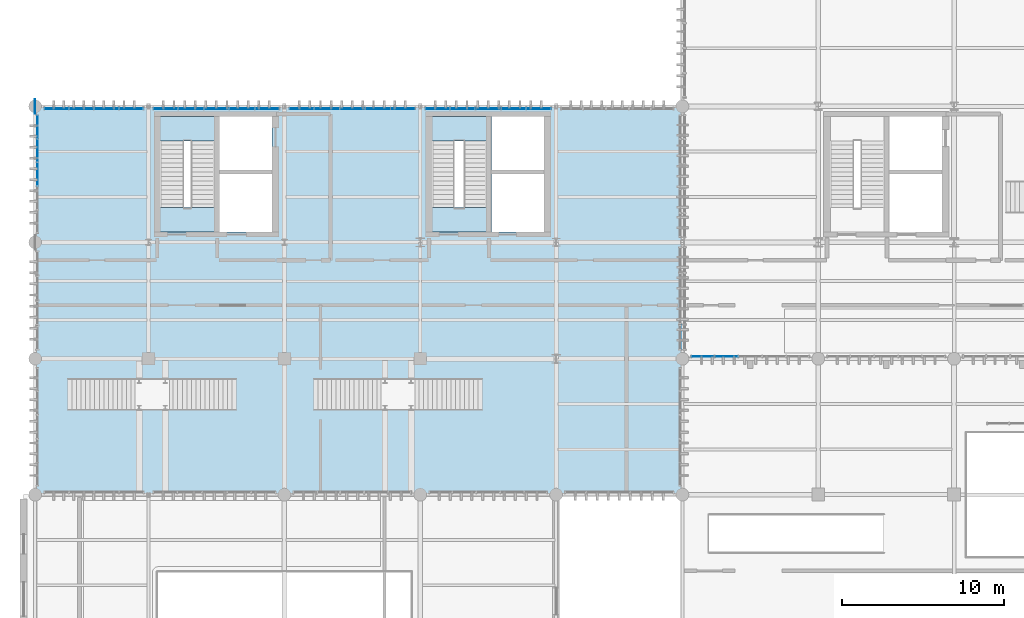
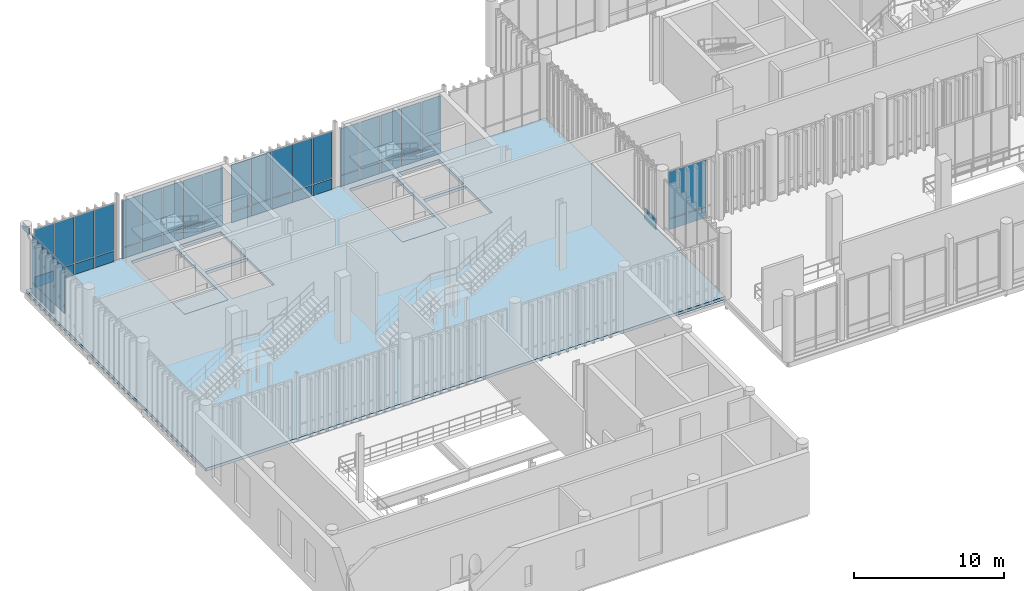
# One storey, part 95 of 128: 49 plates, 5 slabs, 9 elements without a shape of their own.
"""IFC4 building model written with IfcOpenShell, lengths in metres."""

from ifc_helpers import new_model, si_unit, direction, frame, frame_2d, origin_with_axes, origin_2d_with_axis, place, context, subcontext, project, spatial, polyline, rectangle, outline, extrude, material, layer, layer_set, type_object, element, aggregate, save


model = new_model("IFC4")

# Units and contexts
model_context = context("Model", 3, precision=1e-05, world=origin_with_axes(), true_north=direction((0.0, 1.0)))
body_context = subcontext(model_context, "Body", "Model", "MODEL_VIEW")
ifc_project = project(units=[si_unit("LENGTHUNIT", "METRE"), si_unit("AREAUNIT", "SQUARE_METRE"), si_unit("VOLUMEUNIT", "CUBIC_METRE"), si_unit("PLANEANGLEUNIT", "RADIAN"), si_unit("MASSUNIT", "GRAM", prefix="KILO"), si_unit("THERMODYNAMICTEMPERATUREUNIT", "KELVIN")], contexts=[model_context])

# Site, building, storey
site_placement = place(None, origin_with_axes())
site = spatial("IfcSite", under=ifc_project, at=site_placement, CompositionType="ELEMENT")
building_placement = place(site_placement, origin_with_axes())
building = spatial("IfcBuilding", under=site, at=building_placement, Name="Montbau Bow Law Courts", CompositionType="ELEMENT")
storey_placement = place(building_placement, frame((0.0, 0.0, 5.4), z_axis=(0.0, 0.0, 1.0), x_axis=(1.0, 0.0, 0.0)))
storey = spatial("IfcBuildingStorey", under=building, at=storey_placement, Name="L01", CompositionType="ELEMENT", Elevation=5.4)

# Curtain wall, plates
ifc_material_1 = material(Name="Thermally Broken Extruded Aluminium AA 6063-T6", Category="aluminium")
curtain_wall_type_1 = type_object("IfcCurtainWallType", Name="CW-TRC-01", PredefinedType="NOTDEFINED", material=ifc_material_1)
curtain_wall_1_placement = place(None, frame((7.315, 54.46, 5.4), z_axis=(0.0, 0.0, 1.0), x_axis=(1.0, 0.0, 0.0)))
curtain_wall_1 = element("IfcCurtainWall", 1, at=curtain_wall_1_placement, inside=storey, type_object=curtain_wall_type_1, Name="CW-L01-021:cw_0021", PredefinedType="NOTDEFINED")
ifc_material_2 = material(Name="Triple-Glazed Low-E Argon Insulating Glass Unit", Category="glass")
ifc_layer_1 = layer(ifc_material_2, 0.044, Name="Curtain Panel", Category="glass")
ifc_layer_set_1 = layer_set([ifc_layer_1], Name="Triple-Glazed Low-E Argon Insulating Glass Unit")
plate_type_1 = type_object("IfcPlateType", Name="PL-CWP-01", PredefinedType="CURTAIN_PANEL", material=ifc_layer_set_1)
plate_1_placement = place(None, frame((7.391, 54.46, 6.379), z_axis=(0.0, -1.0, 0.0), x_axis=(1.0, 0.0, 0.0)))
plate_1 = element("IfcPlate", 2, at=plate_1_placement, type_object=plate_type_1, Name="CW-L01-021-P01-2:cw_0021_P01_2", PredefinedType="CURTAIN_PANEL", context=body_context, shape_type="SweptSolid", body=[
    extrude(rectangle(XDim=1.438, YDim=3.784, at=frame_2d((0.719, 1.892), x_axis=(1.0, 0.0))), frame((0.0, 0.0, -0.022), z_axis=(0.0, 0.0, 1.0), x_axis=(1.0, 0.0, 0.0)), (0.0, 0.0, 1.0), 0.044),
])
plate_2_placement = place(None, frame((8.909, 54.46, 6.379), z_axis=(0.0, -1.0, 0.0), x_axis=(1.0, 0.0, 0.0)))
plate_2 = element("IfcPlate", 3, at=plate_2_placement, type_object=plate_type_1, Name="CW-L01-021-P02-2:cw_0021_P02_2", PredefinedType="CURTAIN_PANEL", context=body_context, shape_type="SweptSolid", body=[
    extrude(rectangle(XDim=1.476, YDim=3.784, at=frame_2d((0.738, 1.892), x_axis=(1.0, 0.0))), frame((0.0, 0.0, -0.022), z_axis=(0.0, 0.0, 1.0), x_axis=(1.0, 0.0, 0.0)), (0.0, 0.0, 1.0), 0.044),
])
plate_3_placement = place(None, frame((10.463, 54.46, 6.379), z_axis=(0.0, -1.0, 0.0), x_axis=(1.0, 0.0, 0.0)))
plate_3 = element("IfcPlate", 4, at=plate_3_placement, type_object=plate_type_1, Name="CW-L01-021-P03-2:cw_0021_P03_2", PredefinedType="CURTAIN_PANEL", context=body_context, shape_type="SweptSolid", body=[
    extrude(rectangle(XDim=1.476, YDim=3.784, at=frame_2d((0.738, 1.892), x_axis=(1.0, 0.0))), frame((0.0, 0.0, -0.022), z_axis=(0.0, 0.0, 1.0), x_axis=(1.0, 0.0, 0.0)), (0.0, 0.0, 1.0), 0.044),
])
plate_4_placement = place(None, frame((12.017, 54.46, 6.379), z_axis=(0.0, -1.0, 0.0), x_axis=(1.0, 0.0, 0.0)))
plate_4 = element("IfcPlate", 5, at=plate_4_placement, type_object=plate_type_1, Name="CW-L01-021-P04-2:cw_0021_P04_2", PredefinedType="CURTAIN_PANEL", context=body_context, shape_type="SweptSolid", body=[
    extrude(rectangle(XDim=1.439, YDim=3.784, at=frame_2d((0.7195, 1.892), x_axis=(1.0, 0.0))), frame((0.0, 0.0, -0.022), z_axis=(0.0, 0.0, 1.0), x_axis=(1.0, 0.0, 0.0)), (0.0, 0.0, 1.0), 0.044),
])

curtain_wall_2_placement = place(None, frame((14.068, 54.46, 5.4), z_axis=(0.0, 0.0, 1.0), x_axis=(1.0, 0.0, 0.0)))
curtain_wall_2 = element("IfcCurtainWall", 6, at=curtain_wall_2_placement, inside=storey, type_object=curtain_wall_type_1, Name="CW-L01-022:cw_0022", PredefinedType="NOTDEFINED")
plate_5_placement = place(None, frame((14.136, 54.46, 6.382), z_axis=(0.0, -1.0, 0.0), x_axis=(1.0, 0.0, 0.0)))
plate_5 = element("IfcPlate", 7, at=plate_5_placement, type_object=plate_type_1, Name="CW-L01-022-P01-2:cw_0022_P01_2", PredefinedType="CURTAIN_PANEL", context=body_context, shape_type="SweptSolid", body=[
    extrude(rectangle(XDim=1.47, YDim=3.776, at=frame_2d((0.735, 1.888), x_axis=(1.0, 0.0))), frame((0.0, 0.0, -0.022), z_axis=(0.0, 0.0, 1.0), x_axis=(1.0, 0.0, 0.0)), (0.0, 0.0, 1.0), 0.044),
])
plate_6_placement = place(None, frame((15.675, 54.46, 6.382), z_axis=(0.0, -1.0, 0.0), x_axis=(1.0, 0.0, 0.0)))
plate_6 = element("IfcPlate", 8, at=plate_6_placement, type_object=plate_type_1, Name="CW-L01-022-P02-2:cw_0022_P02_2", PredefinedType="CURTAIN_PANEL", context=body_context, shape_type="SweptSolid", body=[
    extrude(rectangle(XDim=1.504, YDim=3.776, at=frame_2d((0.752, 1.888), x_axis=(1.0, 0.0))), frame((0.0, 0.0, -0.022), z_axis=(0.0, 0.0, 1.0), x_axis=(1.0, 0.0, 0.0)), (0.0, 0.0, 1.0), 0.044),
])
plate_7_placement = place(None, frame((17.248, 54.46, 6.382), z_axis=(0.0, -1.0, 0.0), x_axis=(1.0, 0.0, 0.0)))
plate_7 = element("IfcPlate", 9, at=plate_7_placement, type_object=plate_type_1, Name="CW-L01-022-P03-2:cw_0022_P03_2", PredefinedType="CURTAIN_PANEL", context=body_context, shape_type="SweptSolid", body=[
    extrude(rectangle(XDim=1.505, YDim=3.776, at=frame_2d((0.7525, 1.888), x_axis=(1.0, 0.0))), frame((0.0, 0.0, -0.022), z_axis=(0.0, 0.0, 1.0), x_axis=(1.0, 0.0, 0.0)), (0.0, 0.0, 1.0), 0.044),
])
plate_8_placement = place(None, frame((18.821, 54.46, 6.382), z_axis=(0.0, -1.0, 0.0), x_axis=(1.0, 0.0, 0.0)))
plate_8 = element("IfcPlate", 10, at=plate_8_placement, type_object=plate_type_1, Name="CW-L01-022-P04-2:cw_0022_P04_2", PredefinedType="CURTAIN_PANEL", context=body_context, shape_type="SweptSolid", body=[
    extrude(rectangle(XDim=1.505, YDim=3.776, at=frame_2d((0.7525, 1.888), x_axis=(1.0, 0.0))), frame((0.0, 0.0, -0.022), z_axis=(0.0, 0.0, 1.0), x_axis=(1.0, 0.0, 0.0)), (0.0, 0.0, 1.0), 0.044),
])
plate_9_placement = place(None, frame((20.394, 54.46, 6.382), z_axis=(0.0, -1.0, 0.0), x_axis=(1.0, 0.0, 0.0)))
plate_9 = element("IfcPlate", 11, at=plate_9_placement, type_object=plate_type_1, Name="CW-L01-022-P05-2:cw_0022_P05_2", PredefinedType="CURTAIN_PANEL", context=body_context, shape_type="SweptSolid", body=[
    extrude(rectangle(XDim=1.473, YDim=3.776, at=frame_2d((0.7365, 1.888), x_axis=(1.0, 0.0))), frame((0.0, 0.0, -0.022), z_axis=(0.0, 0.0, 1.0), x_axis=(1.0, 0.0, 0.0)), (0.0, 0.0, 1.0), 0.044),
])

curtain_wall_3_placement = place(None, frame((22.467, 54.46, 5.4), z_axis=(0.0, 0.0, 1.0), x_axis=(1.0, 0.0, 0.0)))
curtain_wall_3 = element("IfcCurtainWall", 12, at=curtain_wall_3_placement, inside=storey, type_object=curtain_wall_type_1, Name="CW-L01-023:cw_0023", PredefinedType="NOTDEFINED")
plate_10_placement = place(None, frame((22.529, 54.46, 6.379), z_axis=(0.0, -1.0, 0.0), x_axis=(1.0, 0.0, 0.0)))
plate_10 = element("IfcPlate", 13, at=plate_10_placement, type_object=plate_type_1, Name="CW-L01-023-P01-2:cw_0023_P01_2", PredefinedType="CURTAIN_PANEL", context=body_context, shape_type="SweptSolid", body=[
    extrude(rectangle(XDim=1.479, YDim=3.784, at=frame_2d((0.7395, 1.892), x_axis=(1.0, 0.0))), frame((0.0, 0.0, -0.022), z_axis=(0.0, 0.0, 1.0), x_axis=(1.0, 0.0, 0.0)), (0.0, 0.0, 1.0), 0.044),
])
plate_11_placement = place(None, frame((24.072, 54.46, 6.379), z_axis=(0.0, -1.0, 0.0), x_axis=(1.0, 0.0, 0.0)))
plate_11 = element("IfcPlate", 14, at=plate_11_placement, type_object=plate_type_1, Name="CW-L01-023-P02-2:cw_0023_P02_2", PredefinedType="CURTAIN_PANEL", context=body_context, shape_type="SweptSolid", body=[
    extrude(rectangle(XDim=1.509, YDim=3.784, at=frame_2d((0.7545, 1.892), x_axis=(1.0, 0.0))), frame((0.0, 0.0, -0.022), z_axis=(0.0, 0.0, 1.0), x_axis=(1.0, 0.0, 0.0)), (0.0, 0.0, 1.0), 0.044),
])
plate_12_placement = place(None, frame((25.645, 54.46, 6.379), z_axis=(0.0, -1.0, 0.0), x_axis=(1.0, 0.0, 0.0)))
plate_12 = element("IfcPlate", 15, at=plate_12_placement, type_object=plate_type_1, Name="CW-L01-023-P03-2:cw_0023_P03_2", PredefinedType="CURTAIN_PANEL", context=body_context, shape_type="SweptSolid", body=[
    extrude(rectangle(XDim=1.51, YDim=3.784, at=frame_2d((0.755, 1.892), x_axis=(1.0, 0.0))), frame((0.0, 0.0, -0.022), z_axis=(0.0, 0.0, 1.0), x_axis=(1.0, 0.0, 0.0)), (0.0, 0.0, 1.0), 0.044),
])
plate_13_placement = place(None, frame((27.219, 54.46, 6.379), z_axis=(0.0, -1.0, 0.0), x_axis=(1.0, 0.0, 0.0)))
plate_13 = element("IfcPlate", 16, at=plate_13_placement, type_object=plate_type_1, Name="CW-L01-023-P04-2:cw_0023_P04_2", PredefinedType="CURTAIN_PANEL", context=body_context, shape_type="SweptSolid", body=[
    extrude(rectangle(XDim=1.509, YDim=3.784, at=frame_2d((0.7545, 1.892), x_axis=(1.0, 0.0))), frame((0.0, 0.0, -0.022), z_axis=(0.0, 0.0, 1.0), x_axis=(1.0, 0.0, 0.0)), (0.0, 0.0, 1.0), 0.044),
])
plate_14_placement = place(None, frame((28.792, 54.46, 6.379), z_axis=(0.0, -1.0, 0.0), x_axis=(1.0, 0.0, 0.0)))
plate_14 = element("IfcPlate", 17, at=plate_14_placement, type_object=plate_type_1, Name="CW-L01-023-P05-2:cw_0023_P05_2", PredefinedType="CURTAIN_PANEL", context=body_context, shape_type="SweptSolid", body=[
    extrude(rectangle(XDim=1.479, YDim=3.784, at=frame_2d((0.7395, 1.892), x_axis=(1.0, 0.0))), frame((0.0, 0.0, -0.022), z_axis=(0.0, 0.0, 1.0), x_axis=(1.0, 0.0, 0.0)), (0.0, 0.0, 1.0), 0.044),
])

curtain_wall_4_placement = place(None, frame((30.867, 54.46, 5.4), z_axis=(0.0, 0.0, 1.0), x_axis=(1.0, 0.0, 0.0)))
curtain_wall_4 = element("IfcCurtainWall", 18, at=curtain_wall_4_placement, inside=storey, type_object=curtain_wall_type_1, Name="CW-L01-024:cw_0024", PredefinedType="NOTDEFINED")
plate_15_placement = place(None, frame((30.943, 54.46, 6.382), z_axis=(0.0, -1.0, 0.0), x_axis=(1.0, 0.0, 0.0)))
plate_15 = element("IfcPlate", 19, at=plate_15_placement, type_object=plate_type_1, Name="CW-L01-024-P01-2:cw_0024_P01_2", PredefinedType="CURTAIN_PANEL", context=body_context, shape_type="SweptSolid", body=[
    extrude(rectangle(XDim=1.457, YDim=3.776, at=frame_2d((0.7285, 1.888), x_axis=(1.0, 0.0))), frame((0.0, 0.0, -0.022), z_axis=(0.0, 0.0, 1.0), x_axis=(1.0, 0.0, 0.0)), (0.0, 0.0, 1.0), 0.044),
])
plate_16_placement = place(None, frame((32.48, 54.46, 6.382), z_axis=(0.0, -1.0, 0.0), x_axis=(1.0, 0.0, 0.0)))
plate_16 = element("IfcPlate", 20, at=plate_16_placement, type_object=plate_type_1, Name="CW-L01-024-P02-2:cw_0024_P02_2", PredefinedType="CURTAIN_PANEL", context=body_context, shape_type="SweptSolid", body=[
    extrude(rectangle(XDim=1.494, YDim=3.776, at=frame_2d((0.747, 1.888), x_axis=(1.0, 0.0))), frame((0.0, 0.0, -0.022), z_axis=(0.0, 0.0, 1.0), x_axis=(1.0, 0.0, 0.0)), (0.0, 0.0, 1.0), 0.044),
])
plate_17_placement = place(None, frame((34.052, 54.46, 6.382), z_axis=(0.0, -1.0, 0.0), x_axis=(1.0, 0.0, 0.0)))
plate_17 = element("IfcPlate", 21, at=plate_17_placement, type_object=plate_type_1, Name="CW-L01-024-P03-2:cw_0024_P03_2", PredefinedType="CURTAIN_PANEL", context=body_context, shape_type="SweptSolid", body=[
    extrude(rectangle(XDim=1.495, YDim=3.776, at=frame_2d((0.7475, 1.888), x_axis=(1.0, 0.0))), frame((0.0, 0.0, -0.022), z_axis=(0.0, 0.0, 1.0), x_axis=(1.0, 0.0, 0.0)), (0.0, 0.0, 1.0), 0.044),
])
plate_18_placement = place(None, frame((35.625, 54.46, 6.382), z_axis=(0.0, -1.0, 0.0), x_axis=(1.0, 0.0, 0.0)))
plate_18 = element("IfcPlate", 22, at=plate_18_placement, type_object=plate_type_1, Name="CW-L01-024-P04-2:cw_0024_P04_2", PredefinedType="CURTAIN_PANEL", context=body_context, shape_type="SweptSolid", body=[
    extrude(rectangle(XDim=1.495, YDim=3.776, at=frame_2d((0.7475, 1.888), x_axis=(1.0, 0.0))), frame((0.0, 0.0, -0.022), z_axis=(0.0, 0.0, 1.0), x_axis=(1.0, 0.0, 0.0)), (0.0, 0.0, 1.0), 0.044),
])
plate_19_placement = place(None, frame((37.198, 54.46, 6.382), z_axis=(0.0, -1.0, 0.0), x_axis=(1.0, 0.0, 0.0)))
plate_19 = element("IfcPlate", 23, at=plate_19_placement, type_object=plate_type_1, Name="CW-L01-024-P05-2:cw_0024_P05_2", PredefinedType="CURTAIN_PANEL", context=body_context, shape_type="SweptSolid", body=[
    extrude(rectangle(XDim=1.457, YDim=3.776, at=frame_2d((0.7285, 1.888), x_axis=(1.0, 0.0))), frame((0.0, 0.0, -0.022), z_axis=(0.0, 0.0, 1.0), x_axis=(1.0, 0.0, 0.0)), (0.0, 0.0, 1.0), 0.044),
])

curtain_wall_5_placement = place(None, frame((6.94, 46.715, 5.4), z_axis=(0.0, 0.0, 1.0), x_axis=(1.0, 0.0, 0.0)))
curtain_wall_5 = element("IfcCurtainWall", 24, at=curtain_wall_5_placement, inside=storey, type_object=curtain_wall_type_1, Name="CW-L01-028:cw_0028", PredefinedType="NOTDEFINED")
plate_20_placement = place(None, frame((6.94, 49.697, 6.382), z_axis=(1.0, 0.0, 0.0), x_axis=(0.0, 1.0, 0.0)))
plate_20 = element("IfcPlate", 25, at=plate_20_placement, type_object=plate_type_1, Name="CW-L01-028-P03-2:cw_0028_P03_2", PredefinedType="CURTAIN_PANEL", context=body_context, shape_type="SweptSolid", body=[
    extrude(rectangle(XDim=1.406, YDim=3.776, at=frame_2d((0.703, 1.888), x_axis=(1.0, 0.0))), frame((0.0, 0.0, -0.022), z_axis=(0.0, 0.0, 1.0), x_axis=(1.0, 0.0, 0.0)), (0.0, 0.0, 1.0), 0.044),
])
plate_21_placement = place(None, frame((6.94, 51.171, 6.382), z_axis=(1.0, 0.0, 0.0), x_axis=(0.0, 1.0, 0.0)))
plate_21 = element("IfcPlate", 26, at=plate_21_placement, type_object=plate_type_1, Name="CW-L01-028-P04-2:cw_0028_P04_2", PredefinedType="CURTAIN_PANEL", context=body_context, shape_type="SweptSolid", body=[
    extrude(rectangle(XDim=1.406, YDim=3.776, at=frame_2d((0.703, 1.888), x_axis=(1.0, 0.0))), frame((0.0, 0.0, -0.022), z_axis=(0.0, 0.0, 1.0), x_axis=(1.0, 0.0, 0.0)), (0.0, 0.0, 1.0), 0.044),
])
plate_22_placement = place(None, frame((6.94, 52.645, 6.382), z_axis=(1.0, 0.0, 0.0), x_axis=(0.0, 1.0, 0.0)))
plate_22 = element("IfcPlate", 27, at=plate_22_placement, type_object=plate_type_1, Name="CW-L01-028-P05-2:cw_0028_P05_2", PredefinedType="CURTAIN_PANEL", context=body_context, shape_type="SweptSolid", body=[
    extrude(rectangle(XDim=1.373, YDim=3.776, at=frame_2d((0.6865, 1.888), x_axis=(1.0, 0.0))), frame((0.0, 0.0, -0.022), z_axis=(0.0, 0.0, 1.0), x_axis=(1.0, 0.0, 0.0)), (0.0, 0.0, 1.0), 0.044),
])

curtain_wall_type_2 = type_object("IfcCurtainWallType", Name="CW-CRM-01", PredefinedType="NOTDEFINED", material=ifc_material_1)
curtain_wall_6_placement = place(None, frame((47.315, 39.14, 5.4), z_axis=(0.0, 0.0, 1.0), x_axis=(1.0, 0.0, 0.0)))
curtain_wall_6 = element("IfcCurtainWall", 28, at=curtain_wall_6_placement, inside=storey, type_object=curtain_wall_type_2, Name="CW-L01-139:cw_0139", PredefinedType="NOTDEFINED")
plate_23_placement = place(None, frame((47.383, 39.14, 6.379), z_axis=(0.0, -1.0, 0.0), x_axis=(1.0, 0.0, 0.0)))
plate_23 = element("IfcPlate", 29, at=plate_23_placement, type_object=plate_type_1, Name="CW-L01-139-P01-2:cw_0139_P01_2", PredefinedType="CURTAIN_PANEL", context=body_context, shape_type="SweptSolid", body=[
    extrude(rectangle(XDim=1.372, YDim=3.784, at=frame_2d((0.686, 1.892), x_axis=(1.0, 0.0))), frame((0.0, 0.0, -0.022), z_axis=(0.0, 0.0, 1.0), x_axis=(1.0, 0.0, 0.0)), (0.0, 0.0, 1.0), 0.044),
])
plate_24_placement = place(None, frame((48.823, 39.14, 6.379), z_axis=(0.0, -1.0, 0.0), x_axis=(1.0, 0.0, 0.0)))
plate_24 = element("IfcPlate", 30, at=plate_24_placement, type_object=plate_type_1, Name="CW-L01-139-P02-2:cw_0139_P02_2", PredefinedType="CURTAIN_PANEL", context=body_context, shape_type="SweptSolid", body=[
    extrude(rectangle(XDim=1.405, YDim=3.784, at=frame_2d((0.7025, 1.892), x_axis=(1.0, 0.0))), frame((0.0, 0.0, -0.022), z_axis=(0.0, 0.0, 1.0), x_axis=(1.0, 0.0, 0.0)), (0.0, 0.0, 1.0), 0.044),
])

# Plate
ifc_material_3 = material(Name="Insulated Ceramic-Frit Spandrel Glazing Unit", Category="glass")
ifc_layer_2 = layer(ifc_material_3, 0.056, Name="Curtain Panel", Category="glass")
ifc_layer_set_2 = layer_set([ifc_layer_2], Name="Insulated Ceramic-Frit Spandrel Glazing Unit")
plate_type_2 = type_object("IfcPlateType", Name="PL-CWP-02", PredefinedType="CURTAIN_PANEL", material=ifc_layer_set_2)
plate_25_placement = place(None, frame((7.391, 54.46, 5.457), z_axis=(0.0, -1.0, 0.0), x_axis=(1.0, 0.0, 0.0)))
plate_25 = element("IfcPlate", 31, at=plate_25_placement, type_object=plate_type_2, Name="CW-L01-021-P01-1:cw_0021_P01_1", PredefinedType="CURTAIN_PANEL", context=body_context, shape_type="SweptSolid", body=[
    extrude(rectangle(XDim=1.438, YDim=0.864, at=frame_2d((0.719, 0.432), x_axis=(1.0, 0.0))), frame((0.0, 0.0, -0.028), z_axis=(0.0, 0.0, 1.0), x_axis=(1.0, 0.0, 0.0)), (0.0, 0.0, 1.0), 0.056),
])

plate_26_placement = place(None, frame((8.909, 54.46, 5.457), z_axis=(0.0, -1.0, 0.0), x_axis=(1.0, 0.0, 0.0)))
plate_26 = element("IfcPlate", 32, at=plate_26_placement, type_object=plate_type_2, Name="CW-L01-021-P02-1:cw_0021_P02_1", PredefinedType="CURTAIN_PANEL", context=body_context, shape_type="SweptSolid", body=[
    extrude(rectangle(XDim=1.476, YDim=0.864, at=frame_2d((0.738, 0.432), x_axis=(1.0, 0.0))), frame((0.0, 0.0, -0.028), z_axis=(0.0, 0.0, 1.0), x_axis=(1.0, 0.0, 0.0)), (0.0, 0.0, 1.0), 0.056),
])

plate_27_placement = place(None, frame((10.463, 54.46, 5.457), z_axis=(0.0, -1.0, 0.0), x_axis=(1.0, 0.0, 0.0)))
plate_27 = element("IfcPlate", 33, at=plate_27_placement, type_object=plate_type_2, Name="CW-L01-021-P03-1:cw_0021_P03_1", PredefinedType="CURTAIN_PANEL", context=body_context, shape_type="SweptSolid", body=[
    extrude(rectangle(XDim=1.476, YDim=0.864, at=frame_2d((0.738, 0.432), x_axis=(1.0, 0.0))), frame((0.0, 0.0, -0.028), z_axis=(0.0, 0.0, 1.0), x_axis=(1.0, 0.0, 0.0)), (0.0, 0.0, 1.0), 0.056),
])

plate_28_placement = place(None, frame((12.017, 54.46, 5.457), z_axis=(0.0, -1.0, 0.0), x_axis=(1.0, 0.0, 0.0)))
plate_28 = element("IfcPlate", 34, at=plate_28_placement, type_object=plate_type_2, Name="CW-L01-021-P04-1:cw_0021_P04_1", PredefinedType="CURTAIN_PANEL", context=body_context, shape_type="SweptSolid", body=[
    extrude(rectangle(XDim=1.439, YDim=0.864, at=frame_2d((0.7195, 0.432), x_axis=(1.0, 0.0))), frame((0.0, 0.0, -0.028), z_axis=(0.0, 0.0, 1.0), x_axis=(1.0, 0.0, 0.0)), (0.0, 0.0, 1.0), 0.056),
])

aggregate(curtain_wall_1, [plate_25, plate_1, plate_26, plate_2, plate_27, plate_3, plate_28, plate_4])

plate_29_placement = place(None, frame((14.136, 54.46, 5.462), z_axis=(0.0, -1.0, 0.0), x_axis=(1.0, 0.0, 0.0)))
plate_29 = element("IfcPlate", 35, at=plate_29_placement, type_object=plate_type_2, Name="CW-L01-022-P01-1:cw_0022_P01_1", PredefinedType="CURTAIN_PANEL", context=body_context, shape_type="SweptSolid", body=[
    extrude(rectangle(XDim=1.47, YDim=0.856, at=frame_2d((0.735, 0.428), x_axis=(1.0, 0.0))), frame((0.0, 0.0, -0.028), z_axis=(0.0, 0.0, 1.0), x_axis=(1.0, 0.0, 0.0)), (0.0, 0.0, 1.0), 0.056),
])

plate_30_placement = place(None, frame((15.675, 54.46, 5.462), z_axis=(0.0, -1.0, 0.0), x_axis=(1.0, 0.0, 0.0)))
plate_30 = element("IfcPlate", 36, at=plate_30_placement, type_object=plate_type_2, Name="CW-L01-022-P02-1:cw_0022_P02_1", PredefinedType="CURTAIN_PANEL", context=body_context, shape_type="SweptSolid", body=[
    extrude(rectangle(XDim=1.504, YDim=0.856, at=frame_2d((0.752, 0.428), x_axis=(1.0, 0.0))), frame((0.0, 0.0, -0.028), z_axis=(0.0, 0.0, 1.0), x_axis=(1.0, 0.0, 0.0)), (0.0, 0.0, 1.0), 0.056),
])

plate_31_placement = place(None, frame((17.248, 54.46, 5.462), z_axis=(0.0, -1.0, 0.0), x_axis=(1.0, 0.0, 0.0)))
plate_31 = element("IfcPlate", 37, at=plate_31_placement, type_object=plate_type_2, Name="CW-L01-022-P03-1:cw_0022_P03_1", PredefinedType="CURTAIN_PANEL", context=body_context, shape_type="SweptSolid", body=[
    extrude(rectangle(XDim=1.505, YDim=0.856, at=frame_2d((0.7525, 0.428), x_axis=(1.0, 0.0))), frame((0.0, 0.0, -0.028), z_axis=(0.0, 0.0, 1.0), x_axis=(1.0, 0.0, 0.0)), (0.0, 0.0, 1.0), 0.056),
])

plate_32_placement = place(None, frame((18.821, 54.46, 5.462), z_axis=(0.0, -1.0, 0.0), x_axis=(1.0, 0.0, 0.0)))
plate_32 = element("IfcPlate", 38, at=plate_32_placement, type_object=plate_type_2, Name="CW-L01-022-P04-1:cw_0022_P04_1", PredefinedType="CURTAIN_PANEL", context=body_context, shape_type="SweptSolid", body=[
    extrude(rectangle(XDim=1.505, YDim=0.856, at=frame_2d((0.7525, 0.428), x_axis=(1.0, 0.0))), frame((0.0, 0.0, -0.028), z_axis=(0.0, 0.0, 1.0), x_axis=(1.0, 0.0, 0.0)), (0.0, 0.0, 1.0), 0.056),
])

plate_33_placement = place(None, frame((20.394, 54.46, 5.462), z_axis=(0.0, -1.0, 0.0), x_axis=(1.0, 0.0, 0.0)))
plate_33 = element("IfcPlate", 39, at=plate_33_placement, type_object=plate_type_2, Name="CW-L01-022-P05-1:cw_0022_P05_1", PredefinedType="CURTAIN_PANEL", context=body_context, shape_type="SweptSolid", body=[
    extrude(rectangle(XDim=1.473, YDim=0.856, at=frame_2d((0.7365, 0.428), x_axis=(1.0, 0.0))), frame((0.0, 0.0, -0.028), z_axis=(0.0, 0.0, 1.0), x_axis=(1.0, 0.0, 0.0)), (0.0, 0.0, 1.0), 0.056),
])

aggregate(curtain_wall_2, [plate_29, plate_5, plate_30, plate_6, plate_31, plate_7, plate_32, plate_8, plate_33, plate_9])

plate_34_placement = place(None, frame((22.529, 54.46, 5.457), z_axis=(0.0, -1.0, 0.0), x_axis=(1.0, 0.0, 0.0)))
plate_34 = element("IfcPlate", 40, at=plate_34_placement, type_object=plate_type_2, Name="CW-L01-023-P01-1:cw_0023_P01_1", PredefinedType="CURTAIN_PANEL", context=body_context, shape_type="SweptSolid", body=[
    extrude(rectangle(XDim=1.479, YDim=0.864, at=frame_2d((0.7395, 0.432), x_axis=(1.0, 0.0))), frame((0.0, 0.0, -0.028), z_axis=(0.0, 0.0, 1.0), x_axis=(1.0, 0.0, 0.0)), (0.0, 0.0, 1.0), 0.056),
])

plate_35_placement = place(None, frame((24.072, 54.46, 5.457), z_axis=(0.0, -1.0, 0.0), x_axis=(1.0, 0.0, 0.0)))
plate_35 = element("IfcPlate", 41, at=plate_35_placement, type_object=plate_type_2, Name="CW-L01-023-P02-1:cw_0023_P02_1", PredefinedType="CURTAIN_PANEL", context=body_context, shape_type="SweptSolid", body=[
    extrude(rectangle(XDim=1.509, YDim=0.864, at=frame_2d((0.7545, 0.432), x_axis=(1.0, 0.0))), frame((0.0, 0.0, -0.028), z_axis=(0.0, 0.0, 1.0), x_axis=(1.0, 0.0, 0.0)), (0.0, 0.0, 1.0), 0.056),
])

plate_36_placement = place(None, frame((25.645, 54.46, 5.457), z_axis=(0.0, -1.0, 0.0), x_axis=(1.0, 0.0, 0.0)))
plate_36 = element("IfcPlate", 42, at=plate_36_placement, type_object=plate_type_2, Name="CW-L01-023-P03-1:cw_0023_P03_1", PredefinedType="CURTAIN_PANEL", context=body_context, shape_type="SweptSolid", body=[
    extrude(rectangle(XDim=1.51, YDim=0.864, at=frame_2d((0.755, 0.432), x_axis=(1.0, 0.0))), frame((0.0, 0.0, -0.028), z_axis=(0.0, 0.0, 1.0), x_axis=(1.0, 0.0, 0.0)), (0.0, 0.0, 1.0), 0.056),
])

plate_37_placement = place(None, frame((27.219, 54.46, 5.457), z_axis=(0.0, -1.0, 0.0), x_axis=(1.0, 0.0, 0.0)))
plate_37 = element("IfcPlate", 43, at=plate_37_placement, type_object=plate_type_2, Name="CW-L01-023-P04-1:cw_0023_P04_1", PredefinedType="CURTAIN_PANEL", context=body_context, shape_type="SweptSolid", body=[
    extrude(rectangle(XDim=1.509, YDim=0.864, at=frame_2d((0.7545, 0.432), x_axis=(1.0, 0.0))), frame((0.0, 0.0, -0.028), z_axis=(0.0, 0.0, 1.0), x_axis=(1.0, 0.0, 0.0)), (0.0, 0.0, 1.0), 0.056),
])

plate_38_placement = place(None, frame((28.792, 54.46, 5.457), z_axis=(0.0, -1.0, 0.0), x_axis=(1.0, 0.0, 0.0)))
plate_38 = element("IfcPlate", 44, at=plate_38_placement, type_object=plate_type_2, Name="CW-L01-023-P05-1:cw_0023_P05_1", PredefinedType="CURTAIN_PANEL", context=body_context, shape_type="SweptSolid", body=[
    extrude(rectangle(XDim=1.479, YDim=0.864, at=frame_2d((0.7395, 0.432), x_axis=(1.0, 0.0))), frame((0.0, 0.0, -0.028), z_axis=(0.0, 0.0, 1.0), x_axis=(1.0, 0.0, 0.0)), (0.0, 0.0, 1.0), 0.056),
])

aggregate(curtain_wall_3, [plate_34, plate_10, plate_35, plate_11, plate_36, plate_12, plate_37, plate_13, plate_38, plate_14])

plate_39_placement = place(None, frame((30.943, 54.46, 5.462), z_axis=(0.0, -1.0, 0.0), x_axis=(1.0, 0.0, 0.0)))
plate_39 = element("IfcPlate", 45, at=plate_39_placement, type_object=plate_type_2, Name="CW-L01-024-P01-1:cw_0024_P01_1", PredefinedType="CURTAIN_PANEL", context=body_context, shape_type="SweptSolid", body=[
    extrude(rectangle(XDim=1.457, YDim=0.856, at=frame_2d((0.7285, 0.428), x_axis=(1.0, 0.0))), frame((0.0, 0.0, -0.028), z_axis=(0.0, 0.0, 1.0), x_axis=(1.0, 0.0, 0.0)), (0.0, 0.0, 1.0), 0.056),
])

plate_40_placement = place(None, frame((32.48, 54.46, 5.462), z_axis=(0.0, -1.0, 0.0), x_axis=(1.0, 0.0, 0.0)))
plate_40 = element("IfcPlate", 46, at=plate_40_placement, type_object=plate_type_2, Name="CW-L01-024-P02-1:cw_0024_P02_1", PredefinedType="CURTAIN_PANEL", context=body_context, shape_type="SweptSolid", body=[
    extrude(rectangle(XDim=1.494, YDim=0.856, at=frame_2d((0.747, 0.428), x_axis=(1.0, 0.0))), frame((0.0, 0.0, -0.028), z_axis=(0.0, 0.0, 1.0), x_axis=(1.0, 0.0, 0.0)), (0.0, 0.0, 1.0), 0.056),
])

plate_41_placement = place(None, frame((34.052, 54.46, 5.462), z_axis=(0.0, -1.0, 0.0), x_axis=(1.0, 0.0, 0.0)))
plate_41 = element("IfcPlate", 47, at=plate_41_placement, type_object=plate_type_2, Name="CW-L01-024-P03-1:cw_0024_P03_1", PredefinedType="CURTAIN_PANEL", context=body_context, shape_type="SweptSolid", body=[
    extrude(rectangle(XDim=1.495, YDim=0.856, at=frame_2d((0.7475, 0.428), x_axis=(1.0, 0.0))), frame((0.0, 0.0, -0.028), z_axis=(0.0, 0.0, 1.0), x_axis=(1.0, 0.0, 0.0)), (0.0, 0.0, 1.0), 0.056),
])

plate_42_placement = place(None, frame((35.625, 54.46, 5.462), z_axis=(0.0, -1.0, 0.0), x_axis=(1.0, 0.0, 0.0)))
plate_42 = element("IfcPlate", 48, at=plate_42_placement, type_object=plate_type_2, Name="CW-L01-024-P04-1:cw_0024_P04_1", PredefinedType="CURTAIN_PANEL", context=body_context, shape_type="SweptSolid", body=[
    extrude(rectangle(XDim=1.495, YDim=0.856, at=frame_2d((0.7475, 0.428), x_axis=(1.0, 0.0))), frame((0.0, 0.0, -0.028), z_axis=(0.0, 0.0, 1.0), x_axis=(1.0, 0.0, 0.0)), (0.0, 0.0, 1.0), 0.056),
])

plate_43_placement = place(None, frame((37.198, 54.46, 5.462), z_axis=(0.0, -1.0, 0.0), x_axis=(1.0, 0.0, 0.0)))
plate_43 = element("IfcPlate", 49, at=plate_43_placement, type_object=plate_type_2, Name="CW-L01-024-P05-1:cw_0024_P05_1", PredefinedType="CURTAIN_PANEL", context=body_context, shape_type="SweptSolid", body=[
    extrude(rectangle(XDim=1.457, YDim=0.856, at=frame_2d((0.7285, 0.428), x_axis=(1.0, 0.0))), frame((0.0, 0.0, -0.028), z_axis=(0.0, 0.0, 1.0), x_axis=(1.0, 0.0, 0.0)), (0.0, 0.0, 1.0), 0.056),
])

aggregate(curtain_wall_4, [plate_39, plate_15, plate_40, plate_16, plate_41, plate_17, plate_42, plate_18, plate_43, plate_19])

plate_44_placement = place(None, frame((6.94, 51.171, 5.462), z_axis=(1.0, 0.0, 0.0), x_axis=(0.0, 1.0, 0.0)))
plate_44 = element("IfcPlate", 50, at=plate_44_placement, type_object=plate_type_2, Name="CW-L01-028-P04-1:cw_0028_P04_1", PredefinedType="CURTAIN_PANEL", context=body_context, shape_type="SweptSolid", body=[
    extrude(rectangle(XDim=1.406, YDim=0.856, at=frame_2d((0.703, 0.428), x_axis=(1.0, 0.0))), frame((0.0, 0.0, -0.028), z_axis=(0.0, 0.0, 1.0), x_axis=(1.0, 0.0, 0.0)), (0.0, 0.0, 1.0), 0.056),
])

plate_45_placement = place(None, frame((6.94, 52.645, 5.462), z_axis=(1.0, 0.0, 0.0), x_axis=(0.0, 1.0, 0.0)))
plate_45 = element("IfcPlate", 51, at=plate_45_placement, type_object=plate_type_2, Name="CW-L01-028-P05-1:cw_0028_P05_1", PredefinedType="CURTAIN_PANEL", context=body_context, shape_type="SweptSolid", body=[
    extrude(rectangle(XDim=1.373, YDim=0.856, at=frame_2d((0.6865, 0.428), x_axis=(1.0, 0.0))), frame((0.0, 0.0, -0.028), z_axis=(0.0, 0.0, 1.0), x_axis=(1.0, 0.0, 0.0)), (0.0, 0.0, 1.0), 0.056),
])

aggregate(curtain_wall_5, [plate_20, plate_44, plate_21, plate_45, plate_22])

# Curtain wall, plate
curtain_wall_7_placement = place(None, frame((46.66, 39.515, 5.4), z_axis=(0.0, 0.0, 1.0), x_axis=(1.0, 0.0, 0.0)))
curtain_wall_7 = element("IfcCurtainWall", 52, at=curtain_wall_7_placement, inside=storey, type_object=curtain_wall_type_1, Name="CW-L01-030:cw_0030", PredefinedType="NOTDEFINED")
plate_46_placement = place(None, frame((46.66, 39.591, 5.462), z_axis=(1.0, 0.0, 0.0), x_axis=(0.0, 1.0, 0.0)))
plate_46 = element("IfcPlate", 53, at=plate_46_placement, type_object=plate_type_2, Name="CW-L01-030-P01-1:cw_0030_P01_1", PredefinedType="CURTAIN_PANEL", context=body_context, shape_type="SweptSolid", body=[
    extrude(rectangle(XDim=1.489, YDim=0.856, at=frame_2d((0.7445, 0.428), x_axis=(1.0, 0.0))), frame((0.0, 0.0, -0.028), z_axis=(0.0, 0.0, 1.0), x_axis=(1.0, 0.0, 0.0)), (0.0, 0.0, 1.0), 0.056),
])
aggregate(curtain_wall_7, [plate_46])

# Plate
plate_47_placement = place(None, frame((47.383, 39.14, 5.457), z_axis=(0.0, -1.0, 0.0), x_axis=(1.0, 0.0, 0.0)))
plate_47 = element("IfcPlate", 54, at=plate_47_placement, type_object=plate_type_2, Name="CW-L01-139-P01-1:cw_0139_P01_1", PredefinedType="CURTAIN_PANEL", context=body_context, shape_type="SweptSolid", body=[
    extrude(rectangle(XDim=1.372, YDim=0.864, at=frame_2d((0.686, 0.432), x_axis=(1.0, 0.0))), frame((0.0, 0.0, -0.028), z_axis=(0.0, 0.0, 1.0), x_axis=(1.0, 0.0, 0.0)), (0.0, 0.0, 1.0), 0.056),
])

plate_48_placement = place(None, frame((48.823, 39.14, 5.457), z_axis=(0.0, -1.0, 0.0), x_axis=(1.0, 0.0, 0.0)))
plate_48 = element("IfcPlate", 55, at=plate_48_placement, type_object=plate_type_2, Name="CW-L01-139-P02-1:cw_0139_P02_1", PredefinedType="CURTAIN_PANEL", context=body_context, shape_type="SweptSolid", body=[
    extrude(rectangle(XDim=1.405, YDim=0.864, at=frame_2d((0.7025, 0.432), x_axis=(1.0, 0.0))), frame((0.0, 0.0, -0.028), z_axis=(0.0, 0.0, 1.0), x_axis=(1.0, 0.0, 0.0)), (0.0, 0.0, 1.0), 0.056),
])

aggregate(curtain_wall_6, [plate_47, plate_23, plate_48, plate_24])

ifc_material_4 = material(Name="Steel CSA G40.21 Grade 350WT (350 MPa)", Category="steel")
ifc_layer_3 = layer(ifc_material_4, 0.032, Name="Gusset Plate", Category="steel")
ifc_layer_set_3 = layer_set([ifc_layer_3], Name="Steel CSA G40.21 Grade 350WT (350 MPa)")
plate_type_3 = type_object("IfcPlateType", Name="PL-GUS-01", PredefinedType="USERDEFINED", material=ifc_layer_set_3)
plate_49_placement = place(None, frame((6.8, 54.6, 10.097), z_axis=(0.0, 0.0, 1.0), x_axis=(0.0, 1.0, 0.0)))
element("IfcPlate", 56, at=plate_49_placement, inside=storey, type_object=plate_type_3, Name="BGP-L01-097:plt_0128", ObjectType="GUSSET_PLATE", PredefinedType="USERDEFINED", context=body_context, shape_type="SweptSolid", body=[
    extrude(rectangle(XDim=0.9, YDim=0.032, at=origin_2d_with_axis()), origin_with_axes(), (0.0, 0.0, 1.0), 0.56),
])

# Slab
ifc_material_5 = material(Name="Concrete CSA A23.1 f'c 40 MPa", Category="concrete")
ifc_layer_4 = layer(ifc_material_5, 0.24, Name="Floor Slab", Category="concrete")
ifc_layer_set_4 = layer_set([ifc_layer_4], Name="Concrete CSA A23.1 f'c 40 MPa")
slab_type_1 = type_object("IfcSlabType", Name="SL-FLR-03", PredefinedType="FLOOR", material=ifc_layer_set_4)
slab_1_placement = place(None, frame((0.0, 0.0, 5.16), z_axis=(0.0, 0.0, 1.0), x_axis=(1.0, 0.0, 0.0)))
element("IfcSlab", 57, at=slab_1_placement, inside=storey, type_object=slab_type_1, Name="SL-V2-L01:slb_0008", PredefinedType="FLOOR", context=body_context, shape_type="SweptSolid", body=[
    extrude(outline(polyline([(6.8, 30.6), (46.8, 30.6), (46.8, 54.6), (6.8, 54.6), (6.8, 30.6)]), holes=[polyline([(14.52, 46.858), (17.9, 46.858), (17.9, 53.96), (14.52, 53.96), (14.52, 46.858)]), polyline([(18.2, 46.84), (21.435, 46.84), (21.435, 50.422), (18.2, 50.422), (18.2, 46.84)]), polyline([(18.2, 50.662), (21.435, 50.662), (21.435, 53.96), (18.2, 53.96), (18.2, 50.662)]), polyline([(31.32, 46.858), (34.7, 46.858), (34.7, 53.96), (31.32, 53.96), (31.32, 46.858)]), polyline([(35.0, 46.84), (38.235, 46.84), (38.235, 50.422), (35.0, 50.422), (35.0, 46.84)]), polyline([(35.0, 50.662), (38.235, 50.662), (38.235, 53.96), (35.0, 53.96), (35.0, 50.662)])]), origin_with_axes(), (0.0, 0.0, 1.0), 0.24),
])

# Stair, slabs
stair_type_1 = type_object("IfcStairType", Name="ST-PUB-1800", PredefinedType="HALF_TURN_STAIR", material=ifc_material_5)
stair_1_placement = place(None, frame((15.29, 48.3, 5.4), z_axis=(0.0, 0.0, 1.0), x_axis=(1.0, 0.0, 0.0)))
stair_1 = element("IfcStair", 58, at=stair_1_placement, inside=storey, type_object=stair_type_1, Name="ST-P1-L01:str_0003", PredefinedType="HALF_TURN_STAIR")
ifc_layer_5 = layer(ifc_material_5, 0.18, Name="Landing", Category="concrete")
ifc_layer_set_5 = layer_set([ifc_layer_5], Name="Concrete CSA A23.1 f'c 40 MPa")
slab_type_2 = type_object("IfcSlabType", Name="SL-LND-01", PredefinedType="LANDING", material=ifc_layer_set_5)
slab_2_placement = place(None, frame((0.0, 0.0, 5.22), z_axis=(0.0, 0.0, 1.0), x_axis=(1.0, 0.0, 0.0)))
slab_2 = element("IfcSlab", 59, at=slab_2_placement, type_object=slab_type_2, Name="ST-P1-L01-LB:str_0003_LB", PredefinedType="LANDING", context=body_context, shape_type="SweptSolid", body=[
    extrude(outline(polyline([(14.52, 46.84), (17.9, 46.84), (17.9, 48.34), (14.52, 48.34), (14.52, 46.84)])), origin_with_axes(), (0.0, 0.0, 1.0), 0.18),
])
slab_3_placement = place(None, frame((0.0, 0.0, 7.92), z_axis=(0.0, 0.0, 1.0), x_axis=(1.0, 0.0, 0.0)))
slab_3 = element("IfcSlab", 60, at=slab_3_placement, type_object=slab_type_2, Name="ST-P1-L01-LM:str_0003_LM", PredefinedType="LANDING", context=body_context, shape_type="SweptSolid", body=[
    extrude(outline(polyline([(14.52, 52.46), (17.9, 52.46), (17.9, 53.96), (14.52, 53.96), (14.52, 52.46)])), origin_with_axes(), (0.0, 0.0, 1.0), 0.18),
])
aggregate(stair_1, [slab_2, slab_3])

stair_type_2 = type_object("IfcStairType", Name="ST-JUD-1500", PredefinedType="HALF_TURN_STAIR", material=ifc_material_5)
stair_2_placement = place(None, frame((32.05, 48.3, 5.4), z_axis=(0.0, 0.0, 1.0), x_axis=(1.0, 0.0, 0.0)))
stair_2 = element("IfcStair", 61, at=stair_2_placement, inside=storey, type_object=stair_type_2, Name="ST-J1-L01:str_0011", PredefinedType="HALF_TURN_STAIR")
slab_4_placement = place(None, frame((0.0, 0.0, 5.22), z_axis=(0.0, 0.0, 1.0), x_axis=(1.0, 0.0, 0.0)))
slab_4 = element("IfcSlab", 62, at=slab_4_placement, type_object=slab_type_2, Name="ST-J1-L01-LB:str_0011_LB", PredefinedType="LANDING", context=body_context, shape_type="SweptSolid", body=[
    extrude(outline(polyline([(31.32, 46.84), (34.7, 46.84), (34.7, 48.34), (31.32, 48.34), (31.32, 46.84)])), origin_with_axes(), (0.0, 0.0, 1.0), 0.18),
])
slab_5_placement = place(None, frame((0.0, 0.0, 7.92), z_axis=(0.0, 0.0, 1.0), x_axis=(1.0, 0.0, 0.0)))
slab_5 = element("IfcSlab", 63, at=slab_5_placement, type_object=slab_type_2, Name="ST-J1-L01-LM:str_0011_LM", PredefinedType="LANDING", context=body_context, shape_type="SweptSolid", body=[
    extrude(outline(polyline([(31.32, 52.46), (34.7, 52.46), (34.7, 53.96), (31.32, 53.96), (31.32, 52.46)])), origin_with_axes(), (0.0, 0.0, 1.0), 0.18),
])
aggregate(stair_2, [slab_4, slab_5])

save(model, "model.ifc")
